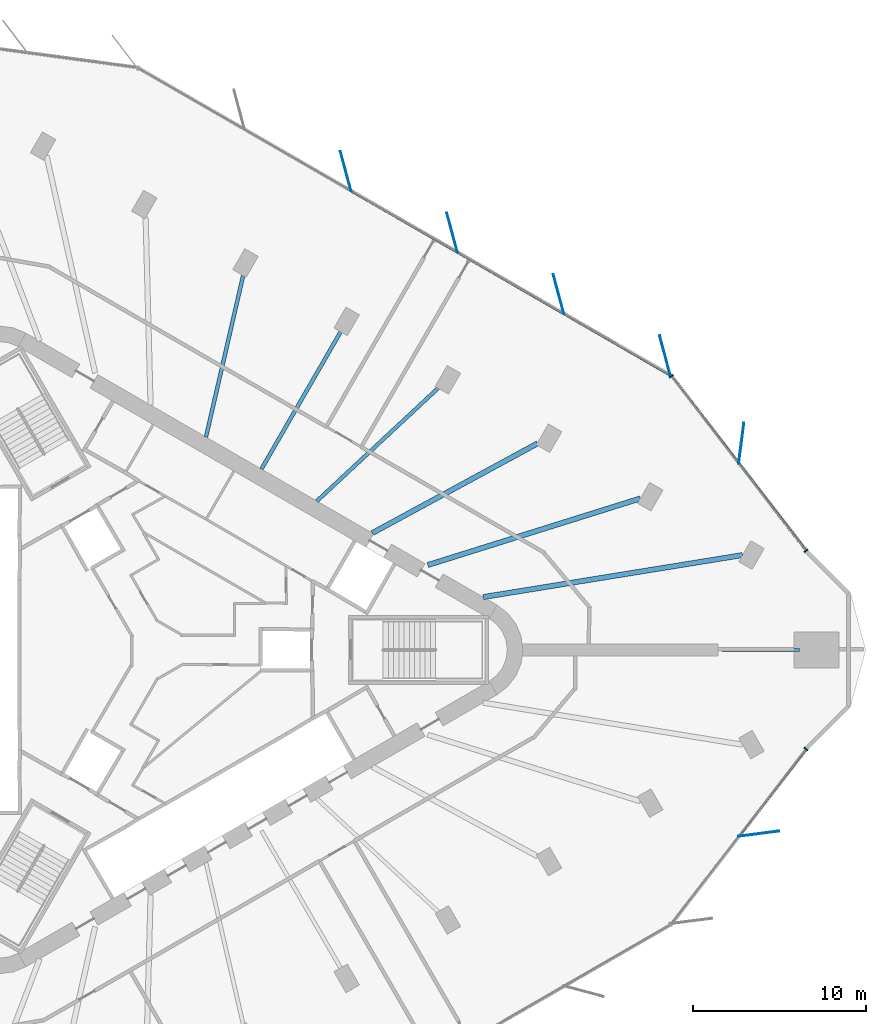
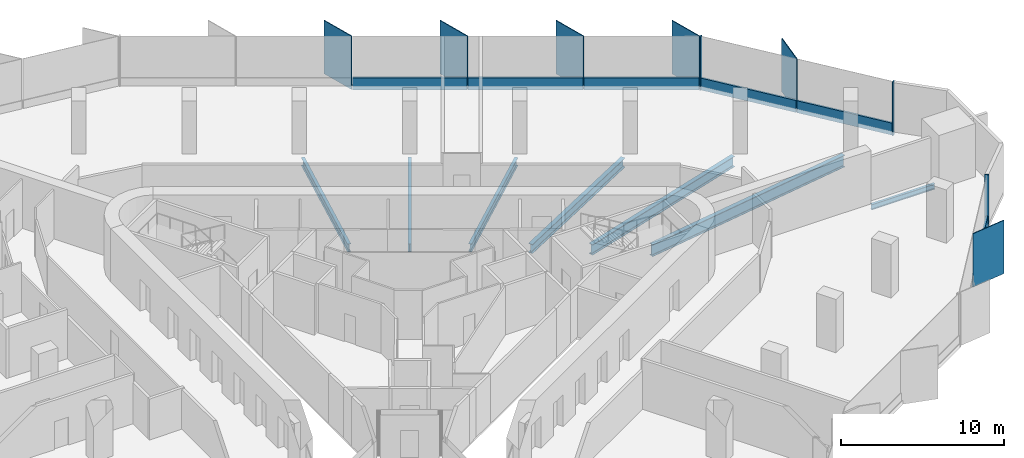
# One storey, part 5 of 14: 15 members, 7 beams, 3 elements without a shape of their own.
"""IFC4 building model written with IfcOpenShell, lengths in metres."""

from ifc_helpers import new_model, si_unit, direction, frame, origin, origin_2d, place, context, subcontext, project, spatial, rectangle, i_section, extrude, material, material_profile, profile_set, type_object, element, aggregate, save


model = new_model("IFC4")

# Units and contexts
model_context = context("Model", 3, precision=1e-05, world=origin(), true_north=direction((0.0, 1.0)))
body_context = subcontext(model_context, "Body", "Model", "MODEL_VIEW")
ifc_project = project(units=[si_unit("LENGTHUNIT", "METRE"), si_unit("AREAUNIT", "SQUARE_METRE"), si_unit("VOLUMEUNIT", "CUBIC_METRE"), si_unit("PLANEANGLEUNIT", "RADIAN"), si_unit("MASSUNIT", "GRAM", prefix="KILO")], contexts=[model_context])

# Site, building, storey
site_placement = place(None, origin())
site = spatial("IfcSite", under=ifc_project, at=site_placement, CompositionType="ELEMENT")
building_placement = place(site_placement, origin())
building = spatial("IfcBuilding", under=site, at=building_placement, Name="Tanit Gate Tower", CompositionType="ELEMENT")
storey_placement = place(building_placement, frame((0.0, 0.0, 229.199951171875)))
storey = spatial("IfcBuildingStorey", under=building, at=storey_placement, Name="L51", CompositionType="ELEMENT", Elevation=229.199951171875)

# Curtain wall, member
ifc_material_1 = material(Name="Aluminium bronze anodised and glass", Category="aluminium")
curtain_wall_type = type_object("IfcCurtainWallType", Name="Curtain wall typical mid", PredefinedType="NOTDEFINED", material=ifc_material_1)
curtain_wall_1_placement = place(storey_placement, origin())
curtain_wall_1 = element("IfcCurtainWall", 1, at=curtain_wall_1_placement, inside=storey, type_object=curtain_wall_type, Name="Curtain wall L51 NE1", PredefinedType="NOTDEFINED")
ifc_material_2 = material(Name="Aluminium bronze anodised", Category="aluminium")
ifc_material_profile_1 = material_profile(ifc_material_2, rectangle(XDim=2.39990234375, YDim=0.055908203125, at=origin_2d()), Name="56x2400 bronze fin mullion")
ifc_profile_set_1 = profile_set([ifc_material_profile_1], Name="Aluminium bronze anodised")
member_type_1 = type_object("IfcMemberType", Name="FIN MULLION 56x2400 bronze", PredefinedType="MULLION", material=ifc_profile_set_1)
member_1_placement = place(storey_placement, frame((33.85791015625, 11.97412109375, -0.300048828125), z_axis=(0.0, 0.0, 1.0), x_axis=(-0.127959021811, -0.991779455694, 0.0)))
member_1 = element("IfcMember", 2, at=member_1_placement, type_object=member_type_1, Name="Fin mullion L51 NE1.2", PredefinedType="MULLION", context=body_context, shape_type="SweptSolid", body=[
    extrude(rectangle(XDim=2.39990234375, YDim=0.055908203125, at=origin_2d()), origin(), (0.0, 0.0, 1.0), 4.0),
])

# Curtain wall, members
curtain_wall_2_placement = place(storey_placement, origin())
curtain_wall_2 = element("IfcCurtainWall", 3, at=curtain_wall_2_placement, inside=storey, type_object=curtain_wall_type, Name="Curtain wall L51 NE2", PredefinedType="NOTDEFINED")
member_2_placement = place(storey_placement, frame((29.439208984375, 17.05517578125, -0.300048828125), z_axis=(0.0, 0.0, 1.0), x_axis=(0.258886020591, -0.965907877772, 0.0)))
member_2 = element("IfcMember", 4, at=member_2_placement, type_object=member_type_1, Name="Fin mullion L51 NE2.1", PredefinedType="MULLION", context=body_context, shape_type="SweptSolid", body=[
    extrude(rectangle(XDim=2.39990234375, YDim=0.055908203125, at=origin_2d()), origin(), (0.0, 0.0, 1.0), 4.0),
])
member_3_placement = place(storey_placement, frame((23.2724609375, 20.614990234375, -0.300048828125), z_axis=(0.0, 0.0, 1.0), x_axis=(0.258886020591, -0.965907877772, 0.0)))
member_3 = element("IfcMember", 5, at=member_3_placement, type_object=member_type_1, Name="Fin mullion L51 NE2.2", PredefinedType="MULLION", context=body_context, shape_type="SweptSolid", body=[
    extrude(rectangle(XDim=2.39990234375, YDim=0.055908203125, at=origin_2d()), origin(), (0.0, 0.0, 1.0), 4.0),
])
member_4_placement = place(storey_placement, frame((17.105712890625, 24.1748046875, -0.300048828125), z_axis=(0.0, 0.0, 1.0), x_axis=(0.258886020591, -0.965907877772, 0.0)))
member_4 = element("IfcMember", 6, at=member_4_placement, type_object=member_type_1, Name="Fin mullion L51 NE2.3", PredefinedType="MULLION", context=body_context, shape_type="SweptSolid", body=[
    extrude(rectangle(XDim=2.39990234375, YDim=0.055908203125, at=origin_2d()), origin(), (0.0, 0.0, 1.0), 4.0),
])
member_5_placement = place(storey_placement, frame((10.93896484375, 27.734619140625, -0.300048828125), z_axis=(0.0, 0.0, 1.0), x_axis=(0.258886020591, -0.965907877772, 0.0)))
member_5 = element("IfcMember", 7, at=member_5_placement, type_object=member_type_1, Name="Fin mullion L51 NE2.4", PredefinedType="MULLION", context=body_context, shape_type="SweptSolid", body=[
    extrude(rectangle(XDim=2.39990234375, YDim=0.055908203125, at=origin_2d()), origin(), (0.0, 0.0, 1.0), 4.0),
])

# Curtain wall, member
curtain_wall_3_placement = place(storey_placement, origin())
curtain_wall_3 = element("IfcCurtainWall", 8, at=curtain_wall_3_placement, inside=storey, type_object=curtain_wall_type, Name="Curtain wall L51 SE3", PredefinedType="NOTDEFINED")
member_6_placement = place(storey_placement, frame((34.87548828125, -10.6533203125, -0.300048828125), z_axis=(0.0, 0.0, 1.0), x_axis=(-0.991802209768, -0.127782536751, 0.0)))
member_6 = element("IfcMember", 9, at=member_6_placement, type_object=member_type_1, Name="Fin mullion L51 SE3.2", PredefinedType="MULLION", context=body_context, shape_type="SweptSolid", body=[
    extrude(rectangle(XDim=2.39990234375, YDim=0.055908203125, at=origin_2d()), origin(), (0.0, 0.0, 1.0), 4.0),
])

# Member
ifc_material_3 = material(Name="Aluminium bronze anodised", Category="aluminium")
ifc_material_profile_2 = material_profile(ifc_material_3, rectangle(XDim=0.260009765625, YDim=0.080078125, at=origin_2d()), Name="80x260 bronze mullion")
ifc_profile_set_2 = profile_set([ifc_material_profile_2], Name="Aluminium bronze anodised")
member_type_2 = type_object("IfcMemberType", Name="Mullion 80x260 typical mid", PredefinedType="MULLION", material=ifc_profile_set_2)
member_7_placement = place(storey_placement, frame((37.610595703125, 5.744873046875, -0.300048828125), z_axis=(0.0, 0.0, 1.0), x_axis=(-0.791774670599, -0.610813286526, 0.0)))
member_7 = element("IfcMember", 10, at=member_7_placement, type_object=member_type_2, Name="Mullion L51 NE1.1", PredefinedType="MULLION", context=body_context, shape_type="SweptSolid", body=[
    extrude(rectangle(XDim=0.260009765625, YDim=0.080078125, at=origin_2d()), origin(), (0.0, 0.0, 1.0), 4.0),
])

member_8_placement = place(storey_placement, frame((29.803466796875, 15.864990234375, -0.300048828125), z_axis=(0.0, 0.0, 1.0), x_axis=(-0.791774670599, -0.610813286526, 0.0)))
member_8 = element("IfcMember", 11, at=member_8_placement, type_object=member_type_2, Name="Mullion L51 NE1.3", PredefinedType="MULLION", context=body_context, shape_type="SweptSolid", body=[
    extrude(rectangle(XDim=0.260009765625, YDim=0.080078125, at=origin_2d()), origin(), (0.0, 0.0, 1.0), 4.0),
])

member_9_placement = place(storey_placement, frame((37.610595703125, -5.744873046875, -0.300048828125), z_axis=(0.0, 0.0, 1.0), x_axis=(-0.791665966377, 0.610954169869, 0.0)))
member_9 = element("IfcMember", 12, at=member_9_placement, type_object=member_type_2, Name="Mullion L51 SE3.3", PredefinedType="MULLION", context=body_context, shape_type="SweptSolid", body=[
    extrude(rectangle(XDim=0.260009765625, YDim=0.080078125, at=origin_2d()), origin(), (0.0, 0.0, 1.0), 4.0),
])

# Beams
ifc_material_4 = material(Name="Steel S355", Category="steel")
ifc_material_profile_3 = material_profile(ifc_material_4, i_section(OverallWidth=0.300048828125, OverallDepth=0.68994140625, WebThickness=0.014404296875, FlangeThickness=0.027099609375, FilletRadius=0.027099609375, at=origin_2d()), Name="HEA 700")
ifc_profile_set_3 = profile_set([ifc_material_profile_3], Name="Steel S355")
beam_type_1 = type_object("IfcBeamType", Name="RADIAL GIRDER HEA 700 S355", PredefinedType="BEAM", material=ifc_profile_set_3)
beam_1_placement = place(storey_placement, frame((22.050048828125, 11.96630859375, -0.64501953125), z_axis=(-0.878919746534, -0.476969683683, 0.0), x_axis=(0.476969683683, -0.878919746534, 0.0)))
element("IfcBeam", 13, at=beam_1_placement, inside=storey, type_object=beam_type_1, Name="RADIAL GIRDER", PredefinedType="BEAM", context=body_context, shape_type="SweptSolid", body=[
    extrude(i_section(OverallWidth=0.300048828125, OverallDepth=0.68994140625, WebThickness=0.014404296875, FlangeThickness=0.027099609375, FilletRadius=0.027099609375, at=origin_2d()), origin(), (0.0, 0.0, 1.0), 10.892333984375),
])
ifc_material_5 = material(Name="Steel S355", Category="steel")
ifc_material_profile_4 = material_profile(ifc_material_5, i_section(OverallWidth=0.300048828125, OverallDepth=0.7900390625, WebThickness=0.014892578125, FlangeThickness=0.028076171875, FilletRadius=0.030029296875, at=origin_2d()), Name="HEA 800")
ifc_profile_set_4 = profile_set([ifc_material_profile_4], Name="Steel S355")
beam_type_2 = type_object("IfcBeamType", Name="RADIAL GIRDER HEA 800 S355", PredefinedType="BEAM", material=ifc_profile_set_4)
beam_2_placement = place(storey_placement, frame((28.001220703125, 8.773681640625, -0.695068359375), z_axis=(-0.954253776397, -0.298997876635, 0.0), x_axis=(0.298997876635, -0.954253776397, 0.0)))
element("IfcBeam", 14, at=beam_2_placement, inside=storey, type_object=beam_type_2, Name="RADIAL GIRDER", PredefinedType="BEAM", context=body_context, shape_type="SweptSolid", body=[
    extrude(i_section(OverallWidth=0.300048828125, OverallDepth=0.7900390625, WebThickness=0.014892578125, FlangeThickness=0.028076171875, FilletRadius=0.030029296875, at=origin_2d()), origin(), (0.0, 0.0, 1.0), 12.902099609375),
])
ifc_material_6 = material(Name="Steel S355", Category="steel")
ifc_material_profile_5 = material_profile(ifc_material_6, i_section(OverallWidth=0.300048828125, OverallDepth=0.889892578125, WebThickness=0.01611328125, FlangeThickness=0.030029296875, FilletRadius=0.030029296875, at=origin_2d()), Name="HEA 900")
ifc_profile_set_5 = profile_set([ifc_material_profile_5], Name="Steel S355")
beam_type_3 = type_object("IfcBeamType", Name="RADIAL GIRDER HEA 900 S355", PredefinedType="BEAM", material=ifc_profile_set_5)
beam_3_placement = place(storey_placement, frame((33.92626953125, 5.494140625, -0.744873046875), z_axis=(-0.987139158822, -0.159863320119, 0.0), x_axis=(0.159863320119, -0.987139158822, 0.0)))
element("IfcBeam", 15, at=beam_3_placement, inside=storey, type_object=beam_type_3, Name="RADIAL GIRDER", PredefinedType="BEAM", context=body_context, shape_type="SweptSolid", body=[
    extrude(i_section(OverallWidth=0.300048828125, OverallDepth=0.889892578125, WebThickness=0.01611328125, FlangeThickness=0.030029296875, FilletRadius=0.030029296875, at=origin_2d()), origin(), (0.0, 0.0, 1.0), 15.219970703125),
])
ifc_material_7 = material(Name="Steel S355", Category="steel")
ifc_material_profile_6 = material_profile(ifc_material_7, i_section(OverallWidth=0.179931640625, OverallDepth=0.39990234375, WebThickness=0.008544921875, FlangeThickness=0.013427734375, FilletRadius=0.02099609375, at=origin_2d()), Name="IPE 400")
ifc_profile_set_6 = profile_set([ifc_material_profile_6], Name="Steel S355")
beam_type_4 = type_object("IfcBeamType", Name="RADIAL GIRDER IPE 400 S355", PredefinedType="BEAM", material=ifc_profile_set_6)
beam_4_placement = place(storey_placement, frame((37.21533203125, 0.0, -0.5), z_axis=(-1.0, 0.0, 0.0), x_axis=(0.0, -1.0, 0.0)))
element("IfcBeam", 16, at=beam_4_placement, inside=storey, type_object=beam_type_4, Name="RADIAL GIRDER", PredefinedType="BEAM", context=body_context, shape_type="SweptSolid", body=[
    extrude(i_section(OverallWidth=0.179931640625, OverallDepth=0.39990234375, WebThickness=0.008544921875, FlangeThickness=0.013427734375, FilletRadius=0.02099609375, at=origin_2d()), origin(), (0.0, 0.0, 1.0), 4.484375),
])
ifc_material_8 = material(Name="Steel S355", Category="steel")
ifc_material_profile_7 = material_profile(ifc_material_8, i_section(OverallWidth=0.219970703125, OverallDepth=0.60009765625, WebThickness=0.011962890625, FlangeThickness=0.01904296875, FilletRadius=0.02392578125, at=origin_2d()), Name="IPE 600")
ifc_profile_set_7 = profile_set([ifc_material_profile_7], Name="Steel S355")
beam_type_5 = type_object("IfcBeamType", Name="RADIAL GIRDER IPE 600 S355", PredefinedType="BEAM", material=ifc_profile_set_7)
beam_5_placement = place(storey_placement, frame((16.3720703125, 15.244384765625, -0.599853515625), z_axis=(-0.731857228845, -0.681457993267, 0.0), x_axis=(0.681457993267, -0.731857228845, 0.0)))
element("IfcBeam", 17, at=beam_5_placement, inside=storey, type_object=beam_type_5, Name="RADIAL GIRDER", PredefinedType="BEAM", context=body_context, shape_type="SweptSolid", body=[
    extrude(i_section(OverallWidth=0.219970703125, OverallDepth=0.60009765625, WebThickness=0.011962890625, FlangeThickness=0.01904296875, FilletRadius=0.02392578125, at=origin_2d()), origin(), (0.0, 0.0, 1.0), 9.71240234375),
])
beam_6_placement = place(storey_placement, frame((10.694091796875, 18.522705078125, -0.599853515625), z_axis=(-0.500001619514, -0.866024468756, 0.0), x_axis=(0.866024468756, -0.500001619514, 0.0)))
element("IfcBeam", 18, at=beam_6_placement, inside=storey, type_object=beam_type_5, Name="RADIAL GIRDER", PredefinedType="BEAM", context=body_context, shape_type="SweptSolid", body=[
    extrude(i_section(OverallWidth=0.219970703125, OverallDepth=0.60009765625, WebThickness=0.011962890625, FlangeThickness=0.01904296875, FilletRadius=0.02392578125, at=origin_2d()), origin(), (0.0, 0.0, 1.0), 9.2861328125),
])
beam_7_placement = place(storey_placement, frame((5.01611328125, 21.80078125, -0.599853515625), z_axis=(-0.224240798092, -0.974533767743, 0.0), x_axis=(0.974533767743, -0.224240798092, 0.0)))
element("IfcBeam", 19, at=beam_7_placement, inside=storey, type_object=beam_type_5, Name="RADIAL GIRDER", PredefinedType="BEAM", context=body_context, shape_type="SweptSolid", body=[
    extrude(i_section(OverallWidth=0.219970703125, OverallDepth=0.60009765625, WebThickness=0.011962890625, FlangeThickness=0.01904296875, FilletRadius=0.02392578125, at=origin_2d()), origin(), (0.0, 0.0, 1.0), 9.712646484375),
])

# Member
ifc_material_9 = material(Name="Aluminium bronze anodised", Category="aluminium")
ifc_material_profile_8 = material_profile(ifc_material_9, rectangle(XDim=0.139892578125, YDim=0.89990234375, at=origin_2d()), Name="140x900 bronze transom")
ifc_profile_set_8 = profile_set([ifc_material_profile_8], Name="Aluminium bronze anodised")
member_type_3 = type_object("IfcMemberType", Name="Transom 140x900 typical mid", PredefinedType="USERDEFINED", material=ifc_profile_set_8)
member_10_placement = place(storey_placement, frame((37.586181640625, 5.776611328125, 0.150146484375), z_axis=(-0.610826321635, 0.791764614515, 0.0), x_axis=(-0.791764614515, -0.610826321635, 0.0)))
member_10 = element("IfcMember", 20, at=member_10_placement, type_object=member_type_3, Name="Transom L51 NE1.1", ObjectType="TRANSOM", PredefinedType="USERDEFINED", context=body_context, shape_type="SweptSolid", body=[
    extrude(rectangle(XDim=0.139892578125, YDim=0.89990234375, at=origin_2d()), origin(), (0.0, 0.0, 1.0), 6.310791015625),
])

member_11_placement = place(storey_placement, frame((33.6826171875, 10.836669921875, 0.150146484375), z_axis=(-0.610826321635, 0.791764614515, 0.0), x_axis=(-0.791764614515, -0.610826321635, 0.0)))
member_11 = element("IfcMember", 21, at=member_11_placement, type_object=member_type_3, Name="Transom L51 NE1.2", ObjectType="TRANSOM", PredefinedType="USERDEFINED", context=body_context, shape_type="SweptSolid", body=[
    extrude(rectangle(XDim=0.139892578125, YDim=0.89990234375, at=origin_2d()), origin(), (0.0, 0.0, 1.0), 6.310791015625),
])

aggregate(curtain_wall_1, [member_7, member_1, member_8, member_10, member_11])

member_12_placement = place(storey_placement, frame((29.709716796875, 15.9365234375, 0.150146484375), z_axis=(-0.866060282556, 0.499939583328, 0.0), x_axis=(-0.499939583328, -0.866060282556, 0.0)))
member_12 = element("IfcMember", 22, at=member_12_placement, type_object=member_type_3, Name="Transom L51 NE2.1", ObjectType="TRANSOM", PredefinedType="USERDEFINED", context=body_context, shape_type="SweptSolid", body=[
    extrude(rectangle(XDim=0.139892578125, YDim=0.89990234375, at=origin_2d()), origin(), (0.0, 0.0, 1.0), 7.040283203125),
])

member_13_placement = place(storey_placement, frame((23.54296875, 19.496337890625, 0.150146484375), z_axis=(-0.866060282556, 0.499939583328, 0.0), x_axis=(-0.499939583328, -0.866060282556, 0.0)))
member_13 = element("IfcMember", 23, at=member_13_placement, type_object=member_type_3, Name="Transom L51 NE2.2", ObjectType="TRANSOM", PredefinedType="USERDEFINED", context=body_context, shape_type="SweptSolid", body=[
    extrude(rectangle(XDim=0.139892578125, YDim=0.89990234375, at=origin_2d()), origin(), (0.0, 0.0, 1.0), 7.040283203125),
])

member_14_placement = place(storey_placement, frame((17.376220703125, 23.05615234375, 0.150146484375), z_axis=(-0.866060282556, 0.499939583328, 0.0), x_axis=(-0.499939583328, -0.866060282556, 0.0)))
member_14 = element("IfcMember", 24, at=member_14_placement, type_object=member_type_3, Name="Transom L51 NE2.3", ObjectType="TRANSOM", PredefinedType="USERDEFINED", context=body_context, shape_type="SweptSolid", body=[
    extrude(rectangle(XDim=0.139892578125, YDim=0.89990234375, at=origin_2d()), origin(), (0.0, 0.0, 1.0), 7.040283203125),
])

aggregate(curtain_wall_2, [member_2, member_3, member_4, member_5, member_12, member_13, member_14])

member_15_placement = place(storey_placement, frame((33.730712890625, -10.772216796875, 0.150146484375), z_axis=(0.61097391648, 0.791650726887, 0.0), x_axis=(-0.791650726887, 0.61097391648, 0.0)))
member_15 = element("IfcMember", 25, at=member_15_placement, type_object=member_type_3, Name="Transom L51 SE3.2", ObjectType="TRANSOM", PredefinedType="USERDEFINED", context=body_context, shape_type="SweptSolid", body=[
    extrude(rectangle(XDim=0.139892578125, YDim=0.89990234375, at=origin_2d()), origin(), (0.0, 0.0, 1.0), 6.310302734375),
])

aggregate(curtain_wall_3, [member_6, member_9, member_15])

save(model, "model.ifc")
